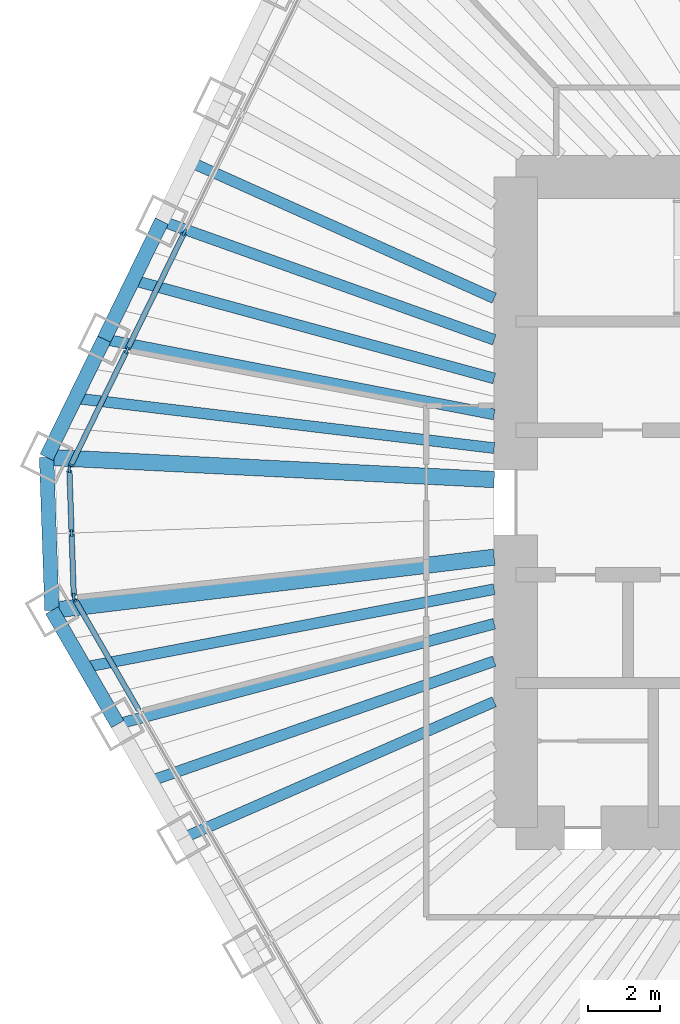
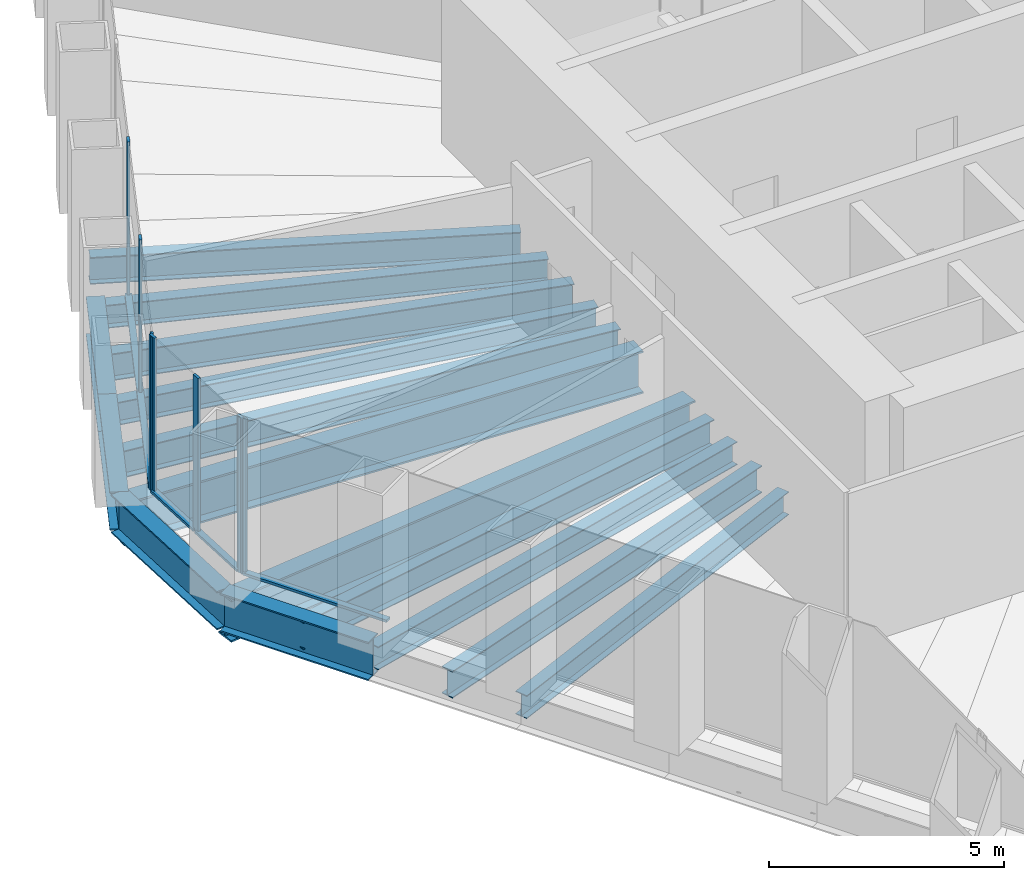
# One storey, part 3 of 13: 15 beams, 12 members, 3 elements without a shape of their own.
"""IFC4 building model written with IfcOpenShell, lengths in metres."""

from ifc_helpers import new_model, si_unit, direction, frame, origin, origin_2d, place, context, subcontext, project, spatial, rectangle, i_section, extrude, material, material_profile, profile_set, type_object, element, aggregate, save


model = new_model("IFC4")

# Units and contexts
model_context = context("Model", 3, precision=1e-05, world=origin(), true_north=direction((0.0, 1.0)))
body_context = subcontext(model_context, "Body", "Model", "MODEL_VIEW")
ifc_project = project(units=[si_unit("LENGTHUNIT", "METRE"), si_unit("AREAUNIT", "SQUARE_METRE"), si_unit("VOLUMEUNIT", "CUBIC_METRE"), si_unit("PLANEANGLEUNIT", "RADIAN"), si_unit("MASSUNIT", "GRAM", prefix="KILO")], contexts=[model_context])

# Site, building, storey
site_placement = place(None, origin())
site = spatial("IfcSite", under=ifc_project, at=site_placement, CompositionType="ELEMENT")
building_placement = place(site_placement, origin())
building = spatial("IfcBuilding", under=site, at=building_placement, Name="Qingtian Harvest Tower", CompositionType="ELEMENT")
storey_placement = place(building_placement, frame((0.0, 0.0, 214.0)))
storey = spatial("IfcBuildingStorey", under=building, at=storey_placement, Name="L46", CompositionType="ELEMENT", Elevation=214.0)

# Beams
ifc_material_1 = material(Name="Steel SM570MC", Category="steel")
ifc_material_profile_1 = material_profile(ifc_material_1, i_section(OverallWidth=0.449951171875, OverallDepth=1.10009765625, WebThickness=0.02197265625, FlangeThickness=0.044921875, at=origin_2d()), Name="H1100x450x22x45")
ifc_profile_set_1 = profile_set([ifc_material_profile_1], Name="Steel SM570MC")
beam_type_1 = type_object("IfcBeamType", Name="Corner floor beam FB8 H1100x450x22x45", PredefinedType="BEAM", material=ifc_profile_set_1)
beam_1_placement = place(storey_placement, frame((-24.833251953125, -2.987548828125, -0.719970703125), z_axis=(0.992841259631, 0.119441337798, 0.0), x_axis=(-0.119441337798, 0.992841259631, 0.0)))
element("IfcBeam", 1, at=beam_1_placement, inside=storey, type_object=beam_type_1, Name="Floor beam FB8 SW6", PredefinedType="BEAM", context=body_context, shape_type="SweptSolid", body=[
    extrude(i_section(OverallWidth=0.449951171875, OverallDepth=1.10009765625, WebThickness=0.02197265625, FlangeThickness=0.044921875, at=origin_2d()), origin(), (0.0, 0.0, 1.0), 12.3212890625),
])
beam_2_placement = place(storey_placement, frame((-24.981201171875, 1.248046875, -0.719970703125), z_axis=(0.998753959075, -0.049905202459, 0.0), x_axis=(0.049905202459, 0.998753959075, 0.0)))
element("IfcBeam", 2, at=beam_2_placement, inside=storey, type_object=beam_type_1, Name="Floor beam FB8 NW0", PredefinedType="BEAM", context=body_context, shape_type="SweptSolid", body=[
    extrude(i_section(OverallWidth=0.449951171875, OverallDepth=1.10009765625, WebThickness=0.02197265625, FlangeThickness=0.044921875, at=origin_2d()), origin(), (0.0, 0.0, 1.0), 12.396484375),
])
ifc_material_2 = material(Name="Steel SN490B", Category="steel")
ifc_material_profile_2 = material_profile(ifc_material_2, i_section(OverallWidth=0.300048828125, OverallDepth=0.60009765625, WebThickness=0.011962890625, FlangeThickness=0.02001953125, at=origin_2d()), Name="H600x300x12x20")
ifc_profile_set_2 = profile_set([ifc_material_profile_2], Name="Steel SN490B")
beam_type_2 = type_object("IfcBeamType", Name="Floor beam FB3 H600x300x12x20", PredefinedType="BEAM", material=ifc_profile_set_2)
beam_3_placement = place(storey_placement, frame((-21.19970703125, -9.281005859375, -0.469970703125), z_axis=(0.916057031544, 0.401048020765, 0.0), x_axis=(-0.401048020765, 0.916057031544, 0.0)))
element("IfcBeam", 3, at=beam_3_placement, inside=storey, type_object=beam_type_2, Name="Floor beam FB3 SW4", PredefinedType="BEAM", context=body_context, shape_type="SweptSolid", body=[
    extrude(i_section(OverallWidth=0.300048828125, OverallDepth=0.60009765625, WebThickness=0.011962890625, FlangeThickness=0.02001953125, at=origin_2d()), origin(), (0.0, 0.0, 1.0), 9.3876953125),
])
beam_4_placement = place(storey_placement, frame((-23.016357421875, -6.13427734375, -0.469970703125), z_axis=(0.966270640629, 0.257528734433, 0.0), x_axis=(-0.257528734433, 0.966270640629, 0.0)))
element("IfcBeam", 4, at=beam_4_placement, inside=storey, type_object=beam_type_2, Name="Floor beam FB3 SW5", PredefinedType="BEAM", context=body_context, shape_type="SweptSolid", body=[
    extrude(i_section(OverallWidth=0.300048828125, OverallDepth=0.60009765625, WebThickness=0.011962890625, FlangeThickness=0.02001953125, at=origin_2d()), origin(), (0.0, 0.0, 1.0), 10.77978515625),
])
beam_5_placement = place(storey_placement, frame((-23.388427734375, 4.513916015625, -0.469970703125), z_axis=(0.981878004162, -0.189514075845, 0.0), x_axis=(0.189514075845, 0.981878004162, 0.0)))
element("IfcBeam", 5, at=beam_5_placement, inside=storey, type_object=beam_type_2, Name="Floor beam FB3 NW1", PredefinedType="BEAM", context=body_context, shape_type="SweptSolid", body=[
    extrude(i_section(OverallWidth=0.300048828125, OverallDepth=0.60009765625, WebThickness=0.011962890625, FlangeThickness=0.02001953125, at=origin_2d()), origin(), (0.0, 0.0, 1.0), 10.987548828125),
])
beam_6_placement = place(storey_placement, frame((-21.79541015625, 7.779541015625, -0.469970703125), z_axis=(0.941800733255, -0.336171650857, 0.0), x_axis=(0.336171650857, 0.941800733255, 0.0)))
element("IfcBeam", 6, at=beam_6_placement, inside=storey, type_object=beam_type_2, Name="Floor beam FB3 NW2", PredefinedType="BEAM", context=body_context, shape_type="SweptSolid", body=[
    extrude(i_section(OverallWidth=0.300048828125, OverallDepth=0.60009765625, WebThickness=0.011962890625, FlangeThickness=0.02001953125, at=origin_2d()), origin(), (0.0, 0.0, 1.0), 9.763427734375),
])
ifc_material_3 = material(Name="Steel SN490B", Category="steel")
ifc_material_profile_3 = material_profile(ifc_material_3, i_section(OverallWidth=0.300048828125, OverallDepth=0.699951171875, WebThickness=0.012939453125, FlangeThickness=0.02392578125, at=origin_2d()), Name="H700x300x13x24")
ifc_profile_set_3 = profile_set([ifc_material_profile_3], Name="Steel SN490B")
beam_type_3 = type_object("IfcBeamType", Name="Floor joist J2 H700x300x13x24", PredefinedType="JOIST", material=ifc_profile_set_3)
beam_7_placement = place(storey_placement, frame((-22.108154296875, -7.707763671875, -0.52001953125), z_axis=(0.944256456951, 0.329210788868, 0.0), x_axis=(-0.329210788868, 0.944256456951, 0.0)))
element("IfcBeam", 7, at=beam_7_placement, inside=storey, type_object=beam_type_3, Name="Floor joist J2 SW4", PredefinedType="JOIST", context=body_context, shape_type="SweptSolid", body=[
    extrude(i_section(OverallWidth=0.300048828125, OverallDepth=0.699951171875, WebThickness=0.012939453125, FlangeThickness=0.02392578125, at=origin_2d()), origin(), (0.0, 0.0, 1.0), 10.0693359375),
])
beam_8_placement = place(storey_placement, frame((-23.9248046875, -4.56103515625, -0.52001953125), z_axis=(0.982309082743, 0.187266830912, 0.0), x_axis=(-0.187266830912, 0.982309082743, 0.0)))
element("IfcBeam", 8, at=beam_8_placement, inside=storey, type_object=beam_type_3, Name="Floor joist J2 SW5", PredefinedType="JOIST", context=body_context, shape_type="SweptSolid", body=[
    extrude(i_section(OverallWidth=0.300048828125, OverallDepth=0.699951171875, WebThickness=0.012939453125, FlangeThickness=0.02392578125, at=origin_2d()), origin(), (0.0, 0.0, 1.0), 11.528564453125),
])
beam_9_placement = place(storey_placement, frame((-24.184814453125, 2.880859375, -0.52001953125), z_axis=(0.992980727423, -0.11827626544, 0.0), x_axis=(0.11827626544, 0.992980727423, 0.0)))
element("IfcBeam", 9, at=beam_9_placement, inside=storey, type_object=beam_type_3, Name="Floor joist J2 NW0", PredefinedType="JOIST", context=body_context, shape_type="SweptSolid", body=[
    extrude(i_section(OverallWidth=0.300048828125, OverallDepth=0.699951171875, WebThickness=0.012939453125, FlangeThickness=0.02392578125, at=origin_2d()), origin(), (0.0, 0.0, 1.0), 11.66650390625),
])
beam_10_placement = place(storey_placement, frame((-22.591796875, 6.146728515625, -0.52001953125), z_axis=(0.964923062728, -0.26253282274, 0.0), x_axis=(0.26253282274, 0.964923062728, 0.0)))
element("IfcBeam", 10, at=beam_10_placement, inside=storey, type_object=beam_type_3, Name="Floor joist J2 NW1", PredefinedType="JOIST", context=body_context, shape_type="SweptSolid", body=[
    extrude(i_section(OverallWidth=0.300048828125, OverallDepth=0.699951171875, WebThickness=0.012939453125, FlangeThickness=0.02392578125, at=origin_2d()), origin(), (0.0, 0.0, 1.0), 10.35498046875),
])
beam_11_placement = place(storey_placement, frame((-20.9990234375, 9.41259765625, -0.52001953125), z_axis=(0.912515128421, -0.409042956671, 0.0), x_axis=(0.409042956671, 0.912515128421, 0.0)))
element("IfcBeam", 11, at=beam_11_placement, inside=storey, type_object=beam_type_3, Name="Floor joist J2 NW2", PredefinedType="JOIST", context=body_context, shape_type="SweptSolid", body=[
    extrude(i_section(OverallWidth=0.300048828125, OverallDepth=0.699951171875, WebThickness=0.012939453125, FlangeThickness=0.02392578125, at=origin_2d()), origin(), (0.0, 0.0, 1.0), 9.2041015625),
])

# Curtain wall, member
ifc_material_4 = material(Name="Bronze-anodised aluminium curtain wall", Category="aluminium")
curtain_wall_type = type_object("IfcCurtainWallType", Name="Curtain wall CW4 office", PredefinedType="USERDEFINED", material=ifc_material_4)
curtain_wall_1_placement = place(storey_placement, origin())
curtain_wall_1 = element("IfcCurtainWall", 12, at=curtain_wall_1_placement, inside=storey, type_object=curtain_wall_type, Name="Curtain wall CW4 L46 SW0-5", ObjectType="RECESSED CURTAIN WALL", PredefinedType="USERDEFINED")
ifc_material_5 = material(Name="Bronze-anodised aluminium mullion", Category="aluminium")
ifc_material_profile_4 = material_profile(ifc_material_5, rectangle(XDim=0.06494140625, YDim=0.199951171875, at=origin_2d()), Name="AL 65x200")
ifc_profile_set_4 = profile_set([ifc_material_profile_4], Name="Bronze-anodised aluminium mullion")
member_type_1 = type_object("IfcMemberType", Name="Mullion CWM 65x200", PredefinedType="MULLION", material=ifc_profile_set_4)
member_1_placement = place(storey_placement, frame((-24.210693359375, -2.665771484375, 0.0), z_axis=(0.0, 0.0, 1.0), x_axis=(-0.866025403784, -0.5, 0.0)))
member_1 = element("IfcMember", 13, at=member_1_placement, type_object=member_type_1, Name="CW4 mullion 7", PredefinedType="MULLION", context=body_context, shape_type="SweptSolid", body=[
    extrude(rectangle(XDim=0.06494140625, YDim=0.199951171875, at=origin_2d()), origin(), (0.0, 0.0, 1.0), 4.030029296875),
])

# Curtain wall, members
curtain_wall_2_placement = place(storey_placement, origin())
curtain_wall_2 = element("IfcCurtainWall", 14, at=curtain_wall_2_placement, inside=storey, type_object=curtain_wall_type, Name="Curtain wall CW4 L46 SWC", ObjectType="RECESSED CURTAIN WALL", PredefinedType="USERDEFINED")
member_2_placement = place(storey_placement, frame((-24.228271484375, -2.60498046875, 0.0), z_axis=(0.0, 0.0, 1.0), x_axis=(-0.999390827019, -0.034899496703, 0.0)))
member_2 = element("IfcMember", 15, at=member_2_placement, type_object=member_type_1, Name="CW4 mullion 1", PredefinedType="MULLION", context=body_context, shape_type="SweptSolid", body=[
    extrude(rectangle(XDim=0.06494140625, YDim=0.199951171875, at=origin_2d()), origin(), (0.0, 0.0, 1.0), 4.030029296875),
])
member_3_placement = place(storey_placement, frame((-24.28955078125, -0.84814453125, 0.0), z_axis=(0.0, 0.0, 1.0), x_axis=(-0.999390827019, -0.034899496703, 0.0)))
member_3 = element("IfcMember", 16, at=member_3_placement, type_object=member_type_1, Name="CW4 mullion 2", PredefinedType="MULLION", context=body_context, shape_type="SweptSolid", body=[
    extrude(rectangle(XDim=0.06494140625, YDim=0.199951171875, at=origin_2d()), origin(), (0.0, 0.0, 1.0), 4.030029296875),
])
member_4_placement = place(storey_placement, frame((-24.350830078125, 0.90869140625, 0.0), z_axis=(0.0, 0.0, 1.0), x_axis=(-0.999390827019, -0.034899496703, 0.0)))
member_4 = element("IfcMember", 17, at=member_4_placement, type_object=member_type_1, Name="CW4 mullion 3", PredefinedType="MULLION", context=body_context, shape_type="SweptSolid", body=[
    extrude(rectangle(XDim=0.06494140625, YDim=0.199951171875, at=origin_2d()), origin(), (0.0, 0.0, 1.0), 4.030029296875),
])

curtain_wall_3_placement = place(storey_placement, origin())
curtain_wall_3 = element("IfcCurtainWall", 18, at=curtain_wall_3_placement, inside=storey, type_object=curtain_wall_type, Name="Curtain wall CW4 L46 NW0-5", ObjectType="RECESSED CURTAIN WALL", PredefinedType="USERDEFINED")
member_5_placement = place(storey_placement, frame((-24.337646484375, 0.970458984375, 0.0), z_axis=(0.0, 0.0, 1.0), x_axis=(-0.898794046299, 0.438371146789, 0.0)))
member_5 = element("IfcMember", 19, at=member_5_placement, type_object=member_type_1, Name="CW4 mullion 1", PredefinedType="MULLION", context=body_context, shape_type="SweptSolid", body=[
    extrude(rectangle(XDim=0.06494140625, YDim=0.199951171875, at=origin_2d()), origin(), (0.0, 0.0, 1.0), 4.030029296875),
])
member_6_placement = place(storey_placement, frame((-22.759033203125, 4.20703125, 0.0), z_axis=(0.0, 0.0, 1.0), x_axis=(-0.898794046299, 0.438371146789, 0.0)))
member_6 = element("IfcMember", 20, at=member_6_placement, type_object=member_type_1, Name="CW4 mullion 2", PredefinedType="MULLION", context=body_context, shape_type="SweptSolid", body=[
    extrude(rectangle(XDim=0.06494140625, YDim=0.199951171875, at=origin_2d()), origin(), (0.0, 0.0, 1.0), 4.030029296875),
])
member_7_placement = place(storey_placement, frame((-21.166259765625, 7.47265625, 0.0), z_axis=(0.0, 0.0, 1.0), x_axis=(-0.898794046299, 0.438371146789, 0.0)))
member_7 = element("IfcMember", 21, at=member_7_placement, type_object=member_type_1, Name="CW4 mullion 3", PredefinedType="MULLION", context=body_context, shape_type="SweptSolid", body=[
    extrude(rectangle(XDim=0.06494140625, YDim=0.199951171875, at=origin_2d()), origin(), (0.0, 0.0, 1.0), 4.030029296875),
])

# Beams
ifc_material_6 = material(Name="Steel SN490B", Category="steel")
ifc_material_profile_5 = material_profile(ifc_material_6, i_section(OverallWidth=0.39990234375, OverallDepth=1.0, WebThickness=0.01904296875, FlangeThickness=0.035888671875, at=origin_2d()), Name="H1000x400x19x36")
ifc_profile_set_5 = profile_set([ifc_material_profile_5], Name="Steel SN490B")
beam_type_4 = type_object("IfcBeamType", Name="Spandrel beam SB3 H1000x400x19x36", PredefinedType="SPANDREL", material=ifc_profile_set_5)
beam_12_placement = place(storey_placement, frame((-23.016357421875, -6.13427734375, -0.5), z_axis=(-0.500026827678, 0.866009914263, 0.0), x_axis=(-0.866009914263, -0.500026827678, 0.0)))
element("IfcBeam", 22, at=beam_12_placement, inside=storey, type_object=beam_type_4, Name="Spandrel SB3 SW5", PredefinedType="SPANDREL", context=body_context, shape_type="SweptSolid", body=[
    extrude(i_section(OverallWidth=0.39990234375, OverallDepth=1.0, WebThickness=0.01904296875, FlangeThickness=0.035888671875, at=origin_2d()), origin(), (0.0, 0.0, 1.0), 3.633544921875),
])
beam_13_placement = place(storey_placement, frame((-24.833251953125, -2.987548828125, -0.5), z_axis=(-0.034908677553, 0.999390506375, 0.0), x_axis=(-0.999390506375, -0.034908677553, 0.0)))
element("IfcBeam", 23, at=beam_13_placement, inside=storey, type_object=beam_type_4, Name="Spandrel SB3 SWC", PredefinedType="SPANDREL", context=body_context, shape_type="SweptSolid", body=[
    extrude(i_section(OverallWidth=0.39990234375, OverallDepth=1.0, WebThickness=0.01904296875, FlangeThickness=0.035888671875, at=origin_2d()), origin(), (0.0, 0.0, 1.0), 4.23828125),
])
for number, where, z_axis, x_axis, name in (
    (24, (-24.981201171875, 1.248046875, -0.5), (0.438349498419, 0.898804604592, 0.0), (-0.898804604592, 0.438349498419, 0.0), "Spandrel SB3 NW0"),
    (25, (-23.388427734375, 4.513916015625, -0.5), (0.438430251153, 0.898765216769, 0.0), (-0.898765216769, 0.438430251153, 0.0), "Spandrel SB3 NW1"),
):
    element("IfcBeam", number, at=place(storey_placement, frame(where, z_axis=z_axis, x_axis=x_axis)), inside=storey, type_object=beam_type_4, Name=name, PredefinedType="SPANDREL", context=body_context, shape_type="SweptSolid", body=[
        extrude(i_section(OverallWidth=0.39990234375, OverallDepth=1.0, WebThickness=0.01904296875, FlangeThickness=0.035888671875, at=origin_2d()), origin(), (0.0, 0.0, 1.0), 3.633544921875),
    ])

# Member
ifc_material_7 = material(Name="Bronze-anodised aluminium transom", Category="aluminium")
ifc_material_profile_6 = material_profile(ifc_material_7, rectangle(XDim=0.14990234375, YDim=0.06494140625, at=origin_2d()), Name="AL 65x150")
ifc_profile_set_6 = profile_set([ifc_material_profile_6], Name="Bronze-anodised aluminium transom")
member_type_2 = type_object("IfcMemberType", Name="Transom CWT 65x150", PredefinedType="USERDEFINED", material=ifc_profile_set_6)
member_8_placement = place(storey_placement, frame((-22.426513671875, -5.756103515625, 0.032470703125), z_axis=(-0.500015305566, 0.866016566931, 0.0), x_axis=(-0.866016566931, -0.500015305566, 0.0)))
member_8 = element("IfcMember", 26, at=member_8_placement, type_object=member_type_2, Name="CW4 transom 6.1", ObjectType="TRANSOM", PredefinedType="USERDEFINED", context=body_context, shape_type="SweptSolid", body=[
    extrude(rectangle(XDim=0.14990234375, YDim=0.06494140625, at=origin_2d()), origin(), (0.0, 0.0, 1.0), 3.5361328125),
])

aggregate(curtain_wall_1, [member_1, member_8])

member_9_placement = place(storey_placement, frame((-24.229248046875, -2.572509765625, 0.032470703125), z_axis=(-0.034899362377, 0.99939083171, 0.0), x_axis=(-0.99939083171, -0.034899362377, 0.0)))
member_9 = element("IfcMember", 27, at=member_9_placement, type_object=member_type_2, Name="CW4 transom 1.1", ObjectType="TRANSOM", PredefinedType="USERDEFINED", context=body_context, shape_type="SweptSolid", body=[
    extrude(rectangle(XDim=0.14990234375, YDim=0.06494140625, at=origin_2d()), origin(), (0.0, 0.0, 1.0), 1.69287109375),
])

member_10_placement = place(storey_placement, frame((-24.29052734375, -0.815673828125, 0.032470703125), z_axis=(-0.034899362377, 0.99939083171, 0.0), x_axis=(-0.99939083171, -0.034899362377, 0.0)))
member_10 = element("IfcMember", 28, at=member_10_placement, type_object=member_type_2, Name="CW4 transom 2.1", ObjectType="TRANSOM", PredefinedType="USERDEFINED", context=body_context, shape_type="SweptSolid", body=[
    extrude(rectangle(XDim=0.14990234375, YDim=0.06494140625, at=origin_2d()), origin(), (0.0, 0.0, 1.0), 1.69287109375),
])

aggregate(curtain_wall_2, [member_2, member_3, member_4, member_9, member_10])

member_11_placement = place(storey_placement, frame((-24.323486328125, 0.99951171875, 0.032470703125), z_axis=(0.438354255898, 0.898802284341, 0.0), x_axis=(-0.898802284341, 0.438354255898, 0.0)))
member_11 = element("IfcMember", 29, at=member_11_placement, type_object=member_type_2, Name="CW4 transom 1.1", ObjectType="TRANSOM", PredefinedType="USERDEFINED", context=body_context, shape_type="SweptSolid", body=[
    extrude(rectangle(XDim=0.14990234375, YDim=0.06494140625, at=origin_2d()), origin(), (0.0, 0.0, 1.0), 3.5361328125),
])

member_12_placement = place(storey_placement, frame((-22.744873046875, 4.236083984375, 0.032470703125), z_axis=(0.438325233634, 0.89881643819, 0.0), x_axis=(-0.89881643819, 0.438325233634, 0.0)))
member_12 = element("IfcMember", 30, at=member_12_placement, type_object=member_type_2, Name="CW4 transom 2.1", ObjectType="TRANSOM", PredefinedType="USERDEFINED", context=body_context, shape_type="SweptSolid", body=[
    extrude(rectangle(XDim=0.14990234375, YDim=0.06494140625, at=origin_2d()), origin(), (0.0, 0.0, 1.0), 3.568603515625),
])

aggregate(curtain_wall_3, [member_5, member_6, member_7, member_11, member_12])

save(model, "model.ifc")
